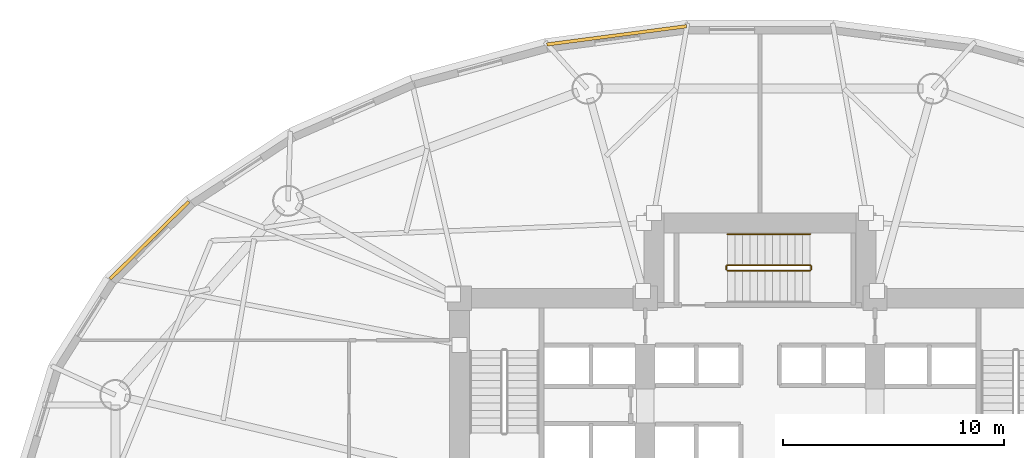
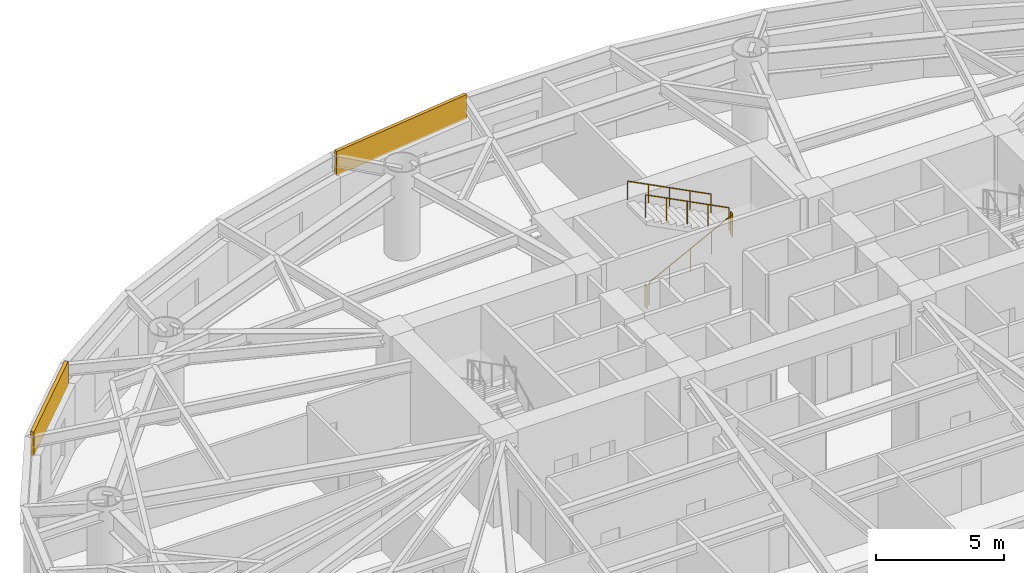
# One storey, part 13 of 14: 5 railings, 2 coverings.
"""IFC4 building model written with IfcOpenShell, lengths in metres."""

from ifc_helpers import new_model, si_unit, direction, frame, origin, origin_2d, place, context, subcontext, project, spatial, rectangle, circle, extrude, material, layer, layer_set, type_object, element, save


model = new_model("IFC4")

# Units and contexts
model_context = context("Model", 3, precision=1e-05, world=origin(), true_north=direction((0.0, 1.0)))
body_context = subcontext(model_context, "Body", "Model", "MODEL_VIEW")
ifc_project = project(units=[si_unit("LENGTHUNIT", "METRE"), si_unit("AREAUNIT", "SQUARE_METRE"), si_unit("VOLUMEUNIT", "CUBIC_METRE"), si_unit("PLANEANGLEUNIT", "RADIAN"), si_unit("MASSUNIT", "GRAM", prefix="KILO")], contexts=[model_context])

# Site, building, storey
site_placement = place(None, origin())
site = spatial("IfcSite", under=ifc_project, at=site_placement, CompositionType="ELEMENT")
building_placement = place(site_placement, origin())
building = spatial("IfcBuilding", under=site, at=building_placement, Name="Keldmark Tower", CompositionType="ELEMENT")
storey_placement = place(building_placement, frame((0.0, 0.0, 14.39990234375)))
storey = spatial("IfcBuildingStorey", under=building, at=storey_placement, Name="L03", CompositionType="ELEMENT", Elevation=14.39990234375)

# Coverings
ifc_material_1 = material(Name="Honed Kasota Buff Dolomitic Limestone", Category="masonry")
ifc_layer = layer(ifc_material_1, 0.074951171875)
ifc_layer_set = layer_set([ifc_layer], Name="Honed Kasota Buff Dolomitic Limestone")
covering_type = type_object("IfcCoveringType", Name="Kasota Buff Limestone Spandrel Cladding Band", PredefinedType="CLADDING", material=ifc_layer_set)
covering_1_placement = place(storey_placement, frame((-6.487060546875, 21.344482421875, 3.033203125), z_axis=(0.0, 0.0, 1.0), x_axis=(-0.991574223108, -0.129539801092, 0.0)))
element("IfcCovering", 1, at=covering_1_placement, inside=storey, type_object=covering_type, Name="L03 Kasota Limestone Spandrel Band 09", PredefinedType="CLADDING", context=body_context, shape_type="SweptSolid", body=[
    extrude(rectangle(XDim=6.37548828125, YDim=0.14990234375, at=origin_2d()), origin(), (0.0, 0.0, 1.0), 1.14697265625),
])
covering_2_placement = place(storey_placement, frame((-27.62890625, 12.071044921875, 3.033203125), z_axis=(0.0, 0.0, 1.0), x_axis=(-0.713189280566, -0.700971504475, 0.0)))
element("IfcCovering", 2, at=covering_2_placement, inside=storey, type_object=covering_type, Name="L03 Kasota Limestone Spandrel Band 13", PredefinedType="CLADDING", context=body_context, shape_type="SweptSolid", body=[
    extrude(rectangle(XDim=4.995849609375, YDim=0.14990234375, at=origin_2d()), origin(), (0.0, 0.0, 1.0), 1.14697265625),
])

# Railings
ifc_material_2 = material(Name="Painted Steel ASTM A500 Grade B", Category="steel")
railing_type_1 = type_object("IfcRailingType", Name="Painted Steel Stair Well Guard 1100 mm", PredefinedType="GUARDRAIL", material=ifc_material_2)
railing_1_placement = place(storey_placement, frame((-1.47509765625, 10.699951171875, 0.175048828125)))
element("IfcRailing", 3, at=railing_1_placement, inside=storey, type_object=railing_type_1, Name="L03 ST3 stair guard 1", PredefinedType="GUARDRAIL", context=body_context, shape_type="SweptSolid", body=[
    extrude(circle(Radius=0.02392578125, at=origin_2d()), frame((0.0, 0.0, 1.076171875), z_axis=(0.889130600629, 0.0, 0.457653553493), x_axis=(0.0, 1.0, 0.0)), (0.0, 0.0, 1.0), 4.206298828125),
    extrude(circle(Radius=0.02099609375, at=origin_2d()), origin(), (0.0, 0.0, 1.0), 1.052001953125),
    extrude(circle(Radius=0.02099609375, at=origin_2d()), frame((0.93505859375, 0.0, 0.481201171875)), (0.0, 0.0, 1.0), 1.052001953125),
    extrude(circle(Radius=0.02099609375, at=origin_2d()), frame((1.8701171875, 0.0, 0.96240234375)), (0.0, 0.0, 1.0), 1.052001953125),
    extrude(circle(Radius=0.02099609375, at=origin_2d()), frame((2.804931640625, 0.0, 1.44384765625)), (0.0, 0.0, 1.0), 1.052001953125),
    extrude(circle(Radius=0.02099609375, at=origin_2d()), frame((3.739990234375, 0.0, 1.925048828125)), (0.0, 0.0, 1.0), 1.052001953125),
])
railing_2_placement = place(storey_placement, frame((2.31494140625, 10.75, 2.10009765625)))
element("IfcRailing", 4, at=railing_2_placement, inside=storey, type_object=railing_type_1, Name="L03 ST3 stair guard 2", PredefinedType="GUARDRAIL", context=body_context, shape_type="SweptSolid", body=[
    extrude(circle(Radius=0.02392578125, at=origin_2d()), frame((0.0, 0.0, 1.076171875), z_axis=(0.0, 1.0, 0.0), x_axis=(-1.0, 0.0, 0.0)), (0.0, 0.0, 1.0), 0.14990234375),
    extrude(circle(Radius=0.02099609375, at=origin_2d()), origin(), (0.0, 0.0, 1.0), 1.052001953125),
    extrude(circle(Radius=0.02099609375, at=origin_2d()), frame((0.0, 0.14990234375, 0.0)), (0.0, 0.0, 1.0), 1.052001953125),
])
railing_3_placement = place(storey_placement, frame((2.264892578125, 10.949951171875, 2.275146484375)))
element("IfcRailing", 5, at=railing_3_placement, inside=storey, type_object=railing_type_1, Name="L03 ST3 stair guard 3", PredefinedType="GUARDRAIL", context=body_context, shape_type="SweptSolid", body=[
    extrude(circle(Radius=0.02392578125, at=origin_2d()), frame((0.0, 0.0, 1.076171875), z_axis=(-0.889130600629, 0.0, 0.457653553493), x_axis=(0.0, -1.0, 0.0)), (0.0, 0.0, 1.0), 4.206298828125),
    extrude(circle(Radius=0.02099609375, at=origin_2d()), origin(), (0.0, 0.0, 1.0), 1.052001953125),
    extrude(circle(Radius=0.02099609375, at=origin_2d()), frame((-0.93505859375, 0.0, 0.481201171875)), (0.0, 0.0, 1.0), 1.052001953125),
    extrude(circle(Radius=0.02099609375, at=origin_2d()), frame((-1.8701171875, 0.0, 0.96240234375)), (0.0, 0.0, 1.0), 1.052001953125),
    extrude(circle(Radius=0.02099609375, at=origin_2d()), frame((-2.804931640625, 0.0, 1.44384765625)), (0.0, 0.0, 1.0), 1.052001953125),
    extrude(circle(Radius=0.02099609375, at=origin_2d()), frame((-3.739990234375, 0.0, 1.925048828125)), (0.0, 0.0, 1.0), 1.052001953125),
])
railing_4_placement = place(storey_placement, frame((-1.52490234375, 10.75, 0.0)))
element("IfcRailing", 6, at=railing_4_placement, inside=storey, type_object=railing_type_1, Name="L03 ST3 stair guard 4", PredefinedType="GUARDRAIL", context=body_context, shape_type="SweptSolid", body=[
    extrude(circle(Radius=0.02392578125, at=origin_2d()), frame((0.0, 0.0, 1.076171875), z_axis=(0.0, 1.0, 0.0), x_axis=(-1.0, 0.0, 0.0)), (0.0, 0.0, 1.0), 0.14990234375),
    extrude(circle(Radius=0.02099609375, at=origin_2d()), origin(), (0.0, 0.0, 1.0), 1.052001953125),
    extrude(circle(Radius=0.02099609375, at=origin_2d()), frame((0.0, 0.14990234375, 0.0)), (0.0, 0.0, 1.0), 1.052001953125),
])
ifc_material_3 = material(Name="Stainless Steel AISI 316L", Category="steel")
railing_type_2 = type_object("IfcRailingType", Name="Stainless Steel Stair Handrail 900 mm", PredefinedType="HANDRAIL", material=ifc_material_3)
railing_5_placement = place(storey_placement, frame((2.264892578125, 12.35009765625, 2.275146484375)))
element("IfcRailing", 7, at=railing_5_placement, inside=storey, type_object=railing_type_2, Name="L03 ST3 stair handrail 2", PredefinedType="HANDRAIL", context=body_context, shape_type="SweptSolid", body=[
    extrude(circle(Radius=0.02392578125, at=origin_2d()), frame((0.0, 0.0, 0.8759765625), z_axis=(-0.889130600629, 0.0, 0.457653553493), x_axis=(0.0, -1.0, 0.0)), (0.0, 0.0, 1.0), 4.206298828125),
    extrude(circle(Radius=0.02099609375, at=origin_2d()), origin(), (0.0, 0.0, 1.0), 0.851806640625),
    extrude(circle(Radius=0.02099609375, at=origin_2d()), frame((-0.93505859375, 0.0, 0.481201171875)), (0.0, 0.0, 1.0), 0.851806640625),
    extrude(circle(Radius=0.02099609375, at=origin_2d()), frame((-1.8701171875, 0.0, 0.96240234375)), (0.0, 0.0, 1.0), 0.851806640625),
    extrude(circle(Radius=0.02099609375, at=origin_2d()), frame((-2.804931640625, 0.0, 1.44384765625)), (0.0, 0.0, 1.0), 0.851806640625),
    extrude(circle(Radius=0.02099609375, at=origin_2d()), frame((-3.739990234375, 0.0, 1.925048828125)), (0.0, 0.0, 1.0), 0.851806640625),
])

save(model, "model.ifc")
